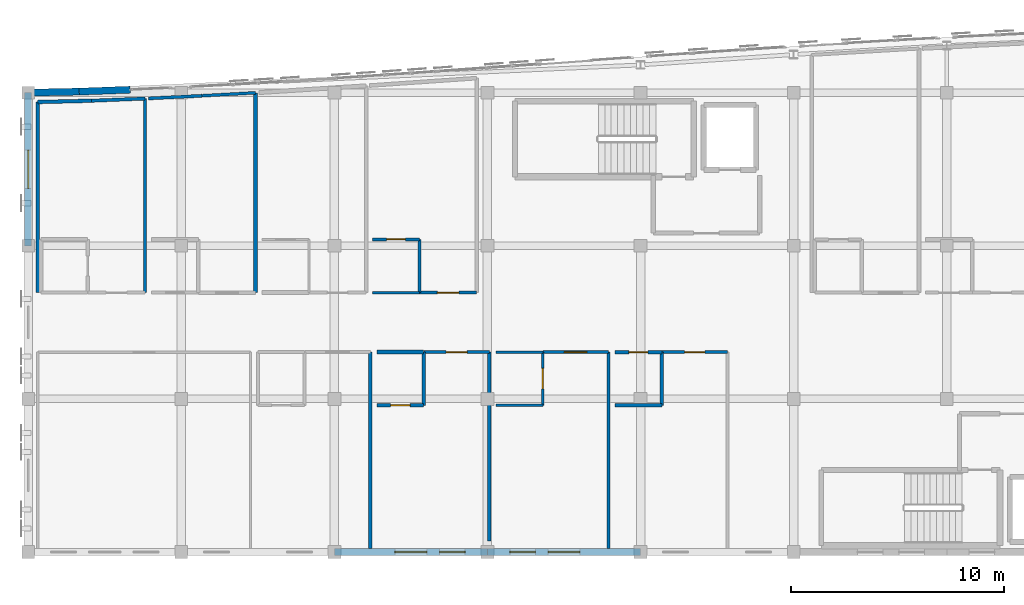
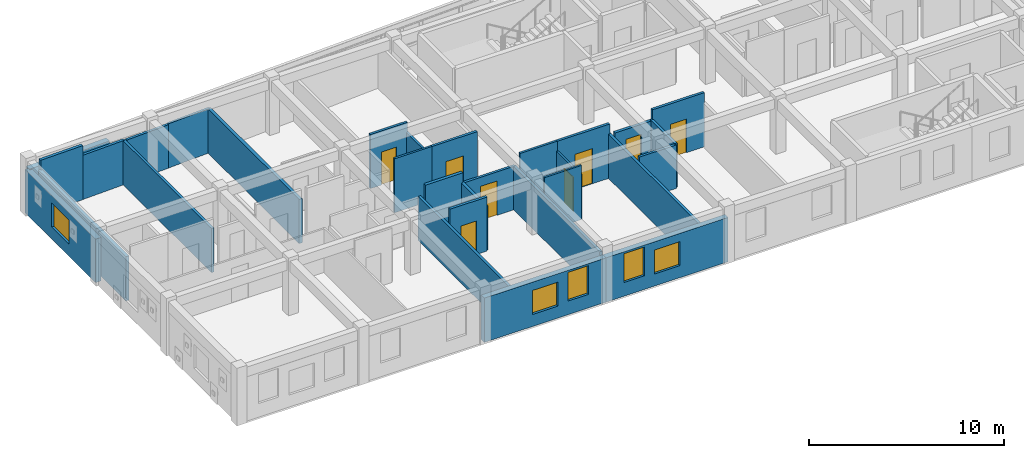
# One storey, part 31 of 41: 31 walls, 8 doors, 5 windows, 13 openings.
"""IFC4 building model written with IfcOpenShell, lengths in metres."""

from ifc_helpers import new_model, si_unit, direction, frame, frame_2d, origin, place, context, subcontext, project, spatial, rectangle, extrude, material, layer, layer_set, type_object, element, fill, save


model = new_model("IFC4")

# Units and contexts
model_context = context("Model", 3, precision=1e-05, world=origin(), true_north=direction((0.0, 1.0)))
body_context = subcontext(model_context, "Body", "Model", "MODEL_VIEW")
ifc_project = project(units=[si_unit("LENGTHUNIT", "METRE"), si_unit("AREAUNIT", "SQUARE_METRE"), si_unit("VOLUMEUNIT", "CUBIC_METRE"), si_unit("PLANEANGLEUNIT", "RADIAN"), si_unit("MASSUNIT", "GRAM", prefix="KILO")], contexts=[model_context])

# Site, building, storey
site_placement = place(None, origin())
site = spatial("IfcSite", under=ifc_project, at=site_placement, CompositionType="ELEMENT")
building_placement = place(site_placement, origin())
building = spatial("IfcBuilding", under=site, at=building_placement, Name="Carrowvane Square Congress Hotel", CompositionType="ELEMENT")
storey_placement = place(building_placement, frame((0.0, 0.0, 37.199951171875)))
storey = spatial("IfcBuildingStorey", under=building, at=storey_placement, Name="L09", CompositionType="ELEMENT", Elevation=37.199951171875)

# Walls
ifc_material_1 = material(Name="Glazed terracotta rainscreen", Category="masonry")
ifc_layer_1 = layer(ifc_material_1, 0.330078125)
ifc_layer_set_1 = layer_set([ifc_layer_1], Name="Glazed terracotta rainscreen")
wall_type_1 = type_object("IfcWallType", Name="WL-EXT-TC330", PredefinedType="STANDARD", material=ifc_layer_set_1)
wall_1_placement = place(storey_placement, frame((33.199951171875, 113.39990234375, 0.0), z_axis=(0.0, 0.0, 1.0), x_axis=(0.999767568547, 0.021559426766, 0.0)))
element("IfcWall", 1, at=wall_1_placement, inside=storey, type_object=wall_type_1, Name="L09 exterior facade wall 560", PredefinedType="STANDARD", context=body_context, shape_type="SweptSolid", body=[
    extrude(rectangle(XDim=2.400634765625, YDim=0.330078125, at=frame_2d((1.2001953125, 0.0))), origin(), (0.0, 0.0, 1.0), 2.76513671875),
])
wall_2_placement = place(storey_placement, frame((35.60009765625, 113.45166015625, 0.0), z_axis=(0.0, 0.0, 1.0), x_axis=(0.99930757318, 0.037207179225, 0.0)))
element("IfcWall", 2, at=wall_2_placement, inside=storey, type_object=wall_type_1, Name="L09 exterior facade wall 561", PredefinedType="STANDARD", context=body_context, shape_type="SweptSolid", body=[
    extrude(rectangle(XDim=2.401611328125, YDim=0.330078125, at=frame_2d((1.20068359375, 0.0))), origin(), (0.0, 0.0, 1.0), 2.76513671875),
])

# Wall, openings, windows
wall_3_placement = place(storey_placement, frame((62.0, 91.800048828125, 0.0), z_axis=(0.0, 0.0, 1.0), x_axis=(-1.0, 0.0, 0.0)))
wall_3 = element("IfcWall", 3, at=wall_3_placement, inside=storey, type_object=wall_type_1, Name="L09 exterior facade wall 576", PredefinedType="STANDARD", context=body_context, shape_type="SweptSolid", body=[
    extrude(rectangle(XDim=7.199951171875, YDim=0.330078125, at=frame_2d((3.60009765625, 0.0))), origin(), (0.0, 0.0, 1.0), 2.76513671875),
])
opening_1_placement = place(wall_3_placement, frame((2.85009765625, 0.0, 0.75)))
opening_1 = element("IfcOpeningElement", 4, at=opening_1_placement, cuts=wall_3, Name="Opening W-15", PredefinedType="OPENING", context=body_context, shape_type="SweptSolid", body=[
    extrude(rectangle(XDim=1.5, YDim=1.5, at=frame_2d((0.75, 0.75))), frame((0.0, 0.175048828125, 0.0), z_axis=(0.0, -1.0, 0.0), x_axis=(1.0, 0.0, 0.0)), (0.0, 0.0, 1.0), 0.35009765625),
])
opening_2_placement = place(wall_3_placement, frame((4.949951171875, 0.0, 0.85009765625)))
opening_2 = element("IfcOpeningElement", 5, at=opening_2_placement, cuts=wall_3, Name="Opening W-01", PredefinedType="OPENING", context=body_context, shape_type="SweptSolid", body=[
    extrude(rectangle(XDim=1.199951171875, YDim=1.800048828125, at=frame_2d((0.60009765625, 0.89990234375))), frame((0.0, 0.175048828125, 0.0), z_axis=(0.0, -1.0, 0.0), x_axis=(1.0, 0.0, 0.0)), (0.0, 0.0, 1.0), 0.35009765625),
])
ifc_material_2 = material(Name="Double-glazed low-E glass", Category="glass")
window_type_1 = type_object("IfcWindowType", Name="WIN-01", PartitioningType="SINGLE_PANEL", PredefinedType="WINDOW", material=ifc_material_2)
window_1_placement = place(opening_2_placement, origin())
window_1 = element("IfcWindow", 6, at=window_1_placement, inside=storey, type_object=window_type_1, Name="L09 guest bedroom window 444", OverallHeight=1.800048828125, OverallWidth=1.199951171875, PartitioningType="SINGLE_PANEL", PredefinedType="WINDOW", context=body_context, shape_type="SweptSolid", body=[
    extrude(rectangle(XDim=1.199951171875, YDim=1.800048828125, at=frame_2d((0.60009765625, 0.89990234375))), frame((0.0, 0.030029296875, 0.0), z_axis=(0.0, -1.0, 0.0), x_axis=(1.0, 0.0, 0.0)), (0.0, 0.0, 1.0), 0.06005859375),
])
fill(opening_2, window_1)
ifc_material_3 = material(Name="Double-glazed low-E glass", Category="glass")
window_type_2 = type_object("IfcWindowType", Name="WIN-15", PartitioningType="SINGLE_PANEL", PredefinedType="WINDOW", material=ifc_material_3)
window_2_placement = place(opening_1_placement, origin())
window_2 = element("IfcWindow", 7, at=window_2_placement, inside=storey, type_object=window_type_2, Name="L09 facade window 442", OverallHeight=1.5, OverallWidth=1.5, PartitioningType="SINGLE_PANEL", PredefinedType="WINDOW", context=body_context, shape_type="SweptSolid", body=[
    extrude(rectangle(XDim=1.5, YDim=1.5, at=frame_2d((0.75, 0.75))), frame((0.0, 0.030029296875, 0.0), z_axis=(0.0, -1.0, 0.0), x_axis=(1.0, 0.0, 0.0)), (0.0, 0.0, 1.0), 0.06005859375),
])
fill(opening_1, window_2)

wall_4_placement = place(storey_placement, frame((54.800048828125, 91.800048828125, 0.0), z_axis=(0.0, 0.0, 1.0), x_axis=(-1.0, 0.0, 0.0)))
wall_4 = element("IfcWall", 8, at=wall_4_placement, inside=storey, type_object=wall_type_1, Name="L09 exterior facade wall 577", PredefinedType="STANDARD", context=body_context, shape_type="SweptSolid", body=[
    extrude(rectangle(XDim=7.199951171875, YDim=0.330078125, at=frame_2d((3.60009765625, 0.0))), origin(), (0.0, 0.0, 1.0), 2.76513671875),
])
opening_3_placement = place(wall_4_placement, frame((2.85009765625, 0.0, 0.75)))
opening_3 = element("IfcOpeningElement", 9, at=opening_3_placement, cuts=wall_4, Name="Opening W-15", PredefinedType="OPENING", context=body_context, shape_type="SweptSolid", body=[
    extrude(rectangle(XDim=1.5, YDim=1.5, at=frame_2d((0.75, 0.75))), frame((0.0, 0.175048828125, 0.0), z_axis=(0.0, -1.0, 0.0), x_axis=(1.0, 0.0, 0.0)), (0.0, 0.0, 1.0), 0.35009765625),
])
opening_4_placement = place(wall_4_placement, frame((1.050048828125, 0.0, 0.85009765625)))
opening_4 = element("IfcOpeningElement", 10, at=opening_4_placement, cuts=wall_4, Name="Opening W-01", PredefinedType="OPENING", context=body_context, shape_type="SweptSolid", body=[
    extrude(rectangle(XDim=1.199951171875, YDim=1.800048828125, at=frame_2d((0.60009765625, 0.89990234375))), frame((0.0, 0.175048828125, 0.0), z_axis=(0.0, -1.0, 0.0), x_axis=(1.0, 0.0, 0.0)), (0.0, 0.0, 1.0), 0.35009765625),
])
window_3_placement = place(opening_4_placement, origin())
window_3 = element("IfcWindow", 11, at=window_3_placement, inside=storey, type_object=window_type_1, Name="L09 guest bedroom window 446", OverallHeight=1.800048828125, OverallWidth=1.199951171875, PartitioningType="SINGLE_PANEL", PredefinedType="WINDOW", context=body_context, shape_type="SweptSolid", body=[
    extrude(rectangle(XDim=1.199951171875, YDim=1.800048828125, at=frame_2d((0.60009765625, 0.89990234375))), frame((0.0, 0.030029296875, 0.0), z_axis=(0.0, -1.0, 0.0), x_axis=(1.0, 0.0, 0.0)), (0.0, 0.0, 1.0), 0.06005859375),
])
fill(opening_4, window_3)
window_4_placement = place(opening_3_placement, origin())
window_4 = element("IfcWindow", 12, at=window_4_placement, inside=storey, type_object=window_type_2, Name="L09 facade window 445", OverallHeight=1.5, OverallWidth=1.5, PartitioningType="SINGLE_PANEL", PredefinedType="WINDOW", context=body_context, shape_type="SweptSolid", body=[
    extrude(rectangle(XDim=1.5, YDim=1.5, at=frame_2d((0.75, 0.75))), frame((0.0, 0.030029296875, 0.0), z_axis=(0.0, -1.0, 0.0), x_axis=(1.0, 0.0, 0.0)), (0.0, 0.0, 1.0), 0.06005859375),
])
fill(opening_3, window_4)

# Wall, opening, window
wall_5_placement = place(storey_placement, frame((33.199951171875, 106.199951171875, 0.0), z_axis=(0.0, 0.0, 1.0), x_axis=(0.0, 1.0, 0.0)))
wall_5 = element("IfcWall", 13, at=wall_5_placement, inside=storey, type_object=wall_type_1, Name="L09 exterior facade wall 582", PredefinedType="STANDARD", context=body_context, shape_type="SweptSolid", body=[
    extrude(rectangle(XDim=7.199951171875, YDim=0.330078125, at=frame_2d((3.60009765625, 0.0))), origin(), (0.0, 0.0, 1.0), 2.715087890625),
])
opening_5_placement = place(wall_5_placement, frame((2.699951171875, 0.0, 0.75)))
opening_5 = element("IfcOpeningElement", 14, at=opening_5_placement, cuts=wall_5, Name="Opening W-16", PredefinedType="OPENING", context=body_context, shape_type="SweptSolid", body=[
    extrude(rectangle(XDim=1.800048828125, YDim=1.5, at=frame_2d((0.89990234375, 0.75))), frame((0.0, 0.175048828125, 0.0), z_axis=(0.0, -1.0, 0.0), x_axis=(1.0, 0.0, 0.0)), (0.0, 0.0, 1.0), 0.35009765625),
])
ifc_material_4 = material(Name="Double-glazed low-E glass", Category="glass")
window_type_3 = type_object("IfcWindowType", Name="WIN-16", PartitioningType="SINGLE_PANEL", PredefinedType="WINDOW", material=ifc_material_4)
window_5_placement = place(opening_5_placement, origin())
window_5 = element("IfcWindow", 15, at=window_5_placement, inside=storey, type_object=window_type_3, Name="L09 facade window 456", OverallHeight=1.5, OverallWidth=1.800048828125, PartitioningType="SINGLE_PANEL", PredefinedType="WINDOW", context=body_context, shape_type="SweptSolid", body=[
    extrude(rectangle(XDim=1.800048828125, YDim=1.5, at=frame_2d((0.89990234375, 0.75))), frame((0.0, 0.030029296875, 0.0), z_axis=(0.0, -1.0, 0.0), x_axis=(1.0, 0.0, 0.0)), (0.0, 0.0, 1.0), 0.06005859375),
])
fill(opening_5, window_5)

# Wall
ifc_material_5 = material(Name="Acoustic gypsum board", Category="gypsum")
ifc_layer_2 = layer(ifc_material_5, 0.155029296875)
ifc_layer_set_2 = layer_set([ifc_layer_2], Name="Acoustic gypsum board")
wall_type_2 = type_object("IfcWallType", Name="WL-FIR-155", PredefinedType="PARTITIONING", material=ifc_layer_set_2)
wall_6_placement = place(storey_placement, frame((49.2900390625, 101.199951171875, 0.0), z_axis=(0.0, 0.0, 1.0), x_axis=(0.0, -1.0, 0.0)))
element("IfcWall", 16, at=wall_6_placement, inside=storey, type_object=wall_type_2, Name="L09 Hotel Suite 0901 partition", PredefinedType="PARTITIONING", context=body_context, shape_type="SweptSolid", body=[
    extrude(rectangle(XDim=9.239990234375, YDim=0.155029296875, at=frame_2d((4.6201171875, 0.0))), origin(), (0.0, 0.0, 1.0), 2.76513671875),
])

# Wall, opening, door
wall_7_placement = place(storey_placement, frame((51.800048828125, 98.699951171875, 0.0), z_axis=(0.0, 0.0, 1.0), x_axis=(-1.0, 0.0, 0.0)))
wall_7 = element("IfcWall", 17, at=wall_7_placement, inside=storey, type_object=wall_type_2, Name="L09 En-suite Bathroom 0902 partition", PredefinedType="PARTITIONING", context=body_context, shape_type="SweptSolid", body=[
    extrude(rectangle(XDim=2.199951171875, YDim=0.155029296875, at=frame_2d((1.10009765625, 0.0))), origin(), (0.0, 0.0, 1.0), 3.380126953125),
])
opening_6_placement = place(wall_7_placement, frame((0.639892578125, 0.0, 0.0)))
opening_6 = element("IfcOpeningElement", 18, at=opening_6_placement, cuts=wall_7, Name="Opening ID-03", PredefinedType="OPENING", context=body_context, shape_type="SweptSolid", body=[
    extrude(rectangle(XDim=0.919921875, YDim=2.10009765625, at=frame_2d((0.4599609375, 1.050048828125))), frame((0.0, 0.08740234375, 0.0), z_axis=(0.0, -1.0, 0.0), x_axis=(1.0, 0.0, 0.0)), (0.0, 0.0, 1.0), 0.175048828125),
])
ifc_material_6 = material(Name="European oak timber", Category="wood")
door_type_1 = type_object("IfcDoorType", Name="DR-INT-0920x2100", OperationType="NOTDEFINED", PredefinedType="DOOR", material=ifc_material_6)
door_1_placement = place(opening_6_placement, origin())
door_1 = element("IfcDoor", 19, at=door_1_placement, inside=storey, type_object=door_type_1, Name="L09 En-suite Bathroom 0902 door", OperationType="SINGLE_SWING_LEFT", OverallHeight=2.10009765625, OverallWidth=0.919921875, PredefinedType="DOOR", context=body_context, shape_type="SweptSolid", body=[
    extrude(rectangle(XDim=0.919921875, YDim=2.10009765625, at=frame_2d((0.4599609375, 1.050048828125))), frame((0.0, 0.02490234375, 0.0), z_axis=(0.0, -1.0, 0.0), x_axis=(1.0, 0.0, 0.0)), (0.0, 0.0, 1.0), 0.050048828125),
])
fill(opening_6, door_1)

# Walls
wall_8_placement = place(storey_placement, frame((54.889892578125, 101.199951171875, 0.0), z_axis=(0.0, 0.0, 1.0), x_axis=(0.0, -1.0, 0.0)))
element("IfcWall", 20, at=wall_8_placement, inside=storey, type_object=wall_type_2, Name="L09 Hotel Suite 0902 partition", PredefinedType="PARTITIONING", context=body_context, shape_type="SweptSolid", body=[
    extrude(rectangle(XDim=8.8798828125, YDim=0.155029296875, at=frame_2d((4.43994140625, 0.0))), origin(), (0.0, 0.0, 1.0), 2.715087890625),
])
wall_9_placement = place(storey_placement, frame((60.489990234375, 101.199951171875, 0.0), z_axis=(0.0, 0.0, 1.0), x_axis=(0.0, -1.0, 0.0)))
element("IfcWall", 21, at=wall_9_placement, inside=storey, type_object=wall_type_2, Name="L09 Hotel Suite 0903 partition", PredefinedType="PARTITIONING", context=body_context, shape_type="SweptSolid", body=[
    extrude(rectangle(XDim=9.239990234375, YDim=0.155029296875, at=frame_2d((4.6201171875, 0.0))), origin(), (0.0, 0.0, 1.0), 2.76513671875),
])
wall_10_placement = place(storey_placement, frame((63.0, 101.199951171875, 0.0), z_axis=(0.0, 0.0, 1.0), x_axis=(0.0, -1.0, 0.0)))
element("IfcWall", 22, at=wall_10_placement, inside=storey, type_object=wall_type_2, Name="L09 En-suite Bathroom 0904 partition", PredefinedType="PARTITIONING", context=body_context, shape_type="SweptSolid", body=[
    extrude(rectangle(XDim=2.5, YDim=0.155029296875, at=frame_2d((1.25, 0.0))), origin(), (0.0, 0.0, 1.0), 2.76513671875),
])
wall_11_placement = place(storey_placement, frame((36.169921875, 113.02294921875, 0.0), z_axis=(0.0, 0.0, 1.0), x_axis=(0.999212053971, 0.039689686314, 0.0)))
element("IfcWall", 23, at=wall_11_placement, inside=storey, type_object=wall_type_2, Name="L09 Parkview Guest Bedroom 0907 partition", PredefinedType="PARTITIONING", context=body_context, shape_type="SweptSolid", body=[
    extrude(rectangle(XDim=2.52197265625, YDim=0.155029296875, at=frame_2d((1.260986328125, 0.0))), origin(), (0.0, 0.0, 1.0), 2.76513671875),
])
ifc_material_7 = material(Name="Acoustic gypsum board", Category="gypsum")
ifc_layer_3 = layer(ifc_material_7, 0.169921875)
ifc_layer_set_3 = layer_set([ifc_layer_3], Name="Acoustic gypsum board")
wall_type_3 = type_object("IfcWallType", Name="WL-FIR-170", PredefinedType="PARTITIONING", material=ifc_layer_set_3)
wall_12_placement = place(storey_placement, frame((51.800048828125, 101.199951171875, 0.0), z_axis=(0.0, 0.0, 1.0), x_axis=(0.0, -1.0, 0.0)))
element("IfcWall", 24, at=wall_12_placement, inside=storey, type_object=wall_type_3, Name="L09 En-suite Bathroom 0902 partition", PredefinedType="PARTITIONING", context=body_context, shape_type="SweptSolid", body=[
    extrude(rectangle(XDim=2.5, YDim=0.169921875, at=frame_2d((1.25, 0.0))), origin(), (0.0, 0.0, 1.0), 2.76513671875),
])

# Wall, opening, door
wall_13_placement = place(storey_placement, frame((60.800048828125, 101.199951171875, 0.0), z_axis=(0.0, 0.0, 1.0), x_axis=(1.0, 0.0, 0.0)))
wall_13 = element("IfcWall", 25, at=wall_13_placement, inside=storey, type_object=wall_type_3, Name="L09 En-suite Bathroom 0904 partition", PredefinedType="PARTITIONING", context=body_context, shape_type="SweptSolid", body=[
    extrude(rectangle(XDim=2.199951171875, YDim=0.169921875, at=frame_2d((1.10009765625, 0.0))), origin(), (0.0, 0.0, 1.0), 2.715087890625),
])
opening_7_placement = place(wall_13_placement, frame((0.655029296875, 0.0, 0.0)))
opening_7 = element("IfcOpeningElement", 26, at=opening_7_placement, cuts=wall_13, Name="Opening ID-16", PredefinedType="OPENING", context=body_context, shape_type="SweptSolid", body=[
    extrude(rectangle(XDim=0.889892578125, YDim=2.090087890625, at=frame_2d((0.44482421875, 1.044921875))), frame((0.0, 0.094970703125, 0.0), z_axis=(0.0, -1.0, 0.0), x_axis=(1.0, 0.0, 0.0)), (0.0, 0.0, 1.0), 0.18994140625),
])
ifc_material_8 = material(Name="European oak timber", Category="wood")
door_type_2 = type_object("IfcDoorType", Name="DR-INT-0890x2090", OperationType="NOTDEFINED", PredefinedType="DOOR", material=ifc_material_8)
door_2_placement = place(opening_7_placement, origin())
door_2 = element("IfcDoor", 27, at=door_2_placement, inside=storey, type_object=door_type_2, Name="L09 En-suite Bathroom 0904 door", OperationType="SINGLE_SWING_LEFT", OverallHeight=2.090087890625, OverallWidth=0.889892578125, PredefinedType="DOOR", context=body_context, shape_type="SweptSolid", body=[
    extrude(rectangle(XDim=0.889892578125, YDim=2.090087890625, at=frame_2d((0.44482421875, 1.044921875))), frame((0.0, 0.02490234375, 0.0), z_axis=(0.0, -1.0, 0.0), x_axis=(1.0, 0.0, 0.0)), (0.0, 0.0, 1.0), 0.050048828125),
])
fill(opening_7, door_2)

# Walls
wall_14_placement = place(storey_placement, frame((33.64990234375, 112.959716796875, 0.0), z_axis=(0.0, 0.0, 1.0), x_axis=(0.999685343429, 0.025084141053, 0.0)))
element("IfcWall", 28, at=wall_14_placement, inside=storey, type_object=wall_type_3, Name="L09 Parkview Guest Bedroom 0907 partition", PredefinedType="PARTITIONING", context=body_context, shape_type="SweptSolid", body=[
    extrude(rectangle(XDim=2.520751953125, YDim=0.169921875, at=frame_2d((1.26025390625, 0.0))), origin(), (0.0, 0.0, 1.0), 3.380126953125),
])
ifc_material_9 = material(Name="Acoustic gypsum board", Category="gypsum")
ifc_layer_4 = layer(ifc_material_9, 0.18505859375)
ifc_layer_set_4 = layer_set([ifc_layer_4], Name="Acoustic gypsum board")
wall_type_4 = type_object("IfcWallType", Name="WL-FIR-185", PredefinedType="PARTITIONING", material=ifc_layer_set_4)
wall_15_placement = place(storey_placement, frame((49.60009765625, 101.199951171875, 0.0), z_axis=(0.0, 0.0, 1.0), x_axis=(1.0, 0.0, 0.0)))
element("IfcWall", 29, at=wall_15_placement, inside=storey, type_object=wall_type_4, Name="L09 En-suite Bathroom 0902 partition", PredefinedType="PARTITIONING", context=body_context, shape_type="SweptSolid", body=[
    extrude(rectangle(XDim=2.199951171875, YDim=0.18505859375, at=frame_2d((1.10009765625, 0.0))), origin(), (0.0, 0.0, 1.0), 3.380126953125),
])
wall_16_placement = place(storey_placement, frame((33.64990234375, 104.0, 0.0), z_axis=(0.0, 0.0, 1.0), x_axis=(0.0, 1.0, 0.0)))
element("IfcWall", 30, at=wall_16_placement, inside=storey, type_object=wall_type_4, Name="L09 Parkview Guest Bedroom 0907 partition", PredefinedType="PARTITIONING", context=body_context, shape_type="SweptSolid", body=[
    extrude(rectangle(XDim=8.959716796875, YDim=0.18505859375, at=frame_2d((4.47998046875, 0.0))), origin(), (0.0, 0.0, 1.0), 2.76513671875),
])
wall_17_placement = place(storey_placement, frame((43.889892578125, 113.395751953125, 0.0), z_axis=(0.0, 0.0, 1.0), x_axis=(0.0, -1.0, 0.0)))
element("IfcWall", 31, at=wall_17_placement, inside=storey, type_object=wall_type_4, Name="L09 Parkview Guest Bedroom 0908 partition", PredefinedType="PARTITIONING", context=body_context, shape_type="SweptSolid", body=[
    extrude(rectangle(XDim=9.395751953125, YDim=0.18505859375, at=frame_2d((4.69775390625, 0.0))), origin(), (0.0, 0.0, 1.0), 2.76513671875),
])
ifc_material_10 = material(Name="Acoustic gypsum board", Category="gypsum")
ifc_layer_5 = layer(ifc_material_10, 0.10791015625)
ifc_layer_set_5 = layer_set([ifc_layer_5], Name="Acoustic gypsum board")
wall_type_5 = type_object("IfcWallType", Name="WL-PRT-108", PredefinedType="PARTITIONING", material=ifc_layer_set_5)
wall_18_placement = place(storey_placement, frame((57.39990234375, 98.699951171875, 0.0), z_axis=(0.0, 0.0, 1.0), x_axis=(-1.0, 0.0, 0.0)))
element("IfcWall", 32, at=wall_18_placement, inside=storey, type_object=wall_type_5, Name="L09 En-suite Bathroom 0903 partition", PredefinedType="PARTITIONING", context=body_context, shape_type="SweptSolid", body=[
    extrude(rectangle(XDim=2.199951171875, YDim=0.10791015625, at=frame_2d((1.10009765625, 0.0))), origin(), (0.0, 0.0, 1.0), 3.380126953125),
])

# Wall, opening, door
ifc_material_11 = material(Name="Acoustic gypsum board", Category="gypsum")
ifc_layer_6 = layer(ifc_material_11, 0.117919921875)
ifc_layer_set_6 = layer_set([ifc_layer_6], Name="Acoustic gypsum board")
wall_type_6 = type_object("IfcWallType", Name="WL-PRT-118", PredefinedType="PARTITIONING", material=ifc_layer_set_6)
wall_19_placement = place(storey_placement, frame((57.39990234375, 101.199951171875, 0.0), z_axis=(0.0, 0.0, 1.0), x_axis=(0.0, -1.0, 0.0)))
wall_19 = element("IfcWall", 33, at=wall_19_placement, inside=storey, type_object=wall_type_6, Name="L09 En-suite Bathroom 0903 partition", PredefinedType="PARTITIONING", context=body_context, shape_type="SweptSolid", body=[
    extrude(rectangle(XDim=2.5, YDim=0.117919921875, at=frame_2d((1.25, 0.0))), origin(), (0.0, 0.0, 1.0), 2.76513671875),
])
opening_8_placement = place(wall_19_placement, frame((0.77001953125, 0.0, 0.0)))
opening_8 = element("IfcOpeningElement", 34, at=opening_8_placement, cuts=wall_19, Name="Opening ID-05", PredefinedType="OPENING", context=body_context, shape_type="SweptSolid", body=[
    extrude(rectangle(XDim=0.9599609375, YDim=2.139892578125, at=frame_2d((0.47998046875, 1.06982421875))), frame((0.0, 0.06884765625, 0.0), z_axis=(0.0, -1.0, 0.0), x_axis=(1.0, 0.0, 0.0)), (0.0, 0.0, 1.0), 0.137939453125),
])
ifc_material_12 = material(Name="European oak timber", Category="wood")
door_type_3 = type_object("IfcDoorType", Name="DR-INT-0960x2140", OperationType="NOTDEFINED", PredefinedType="DOOR", material=ifc_material_12)
door_3_placement = place(opening_8_placement, origin())
door_3 = element("IfcDoor", 35, at=door_3_placement, inside=storey, type_object=door_type_3, Name="L09 En-suite Bathroom 0903 door", OperationType="SINGLE_SWING_LEFT", OverallHeight=2.139892578125, OverallWidth=0.9599609375, PredefinedType="DOOR", context=body_context, shape_type="SweptSolid", body=[
    extrude(rectangle(XDim=0.9599609375, YDim=2.139892578125, at=frame_2d((0.47998046875, 1.06982421875))), frame((0.0, 0.02490234375, 0.0), z_axis=(0.0, -1.0, 0.0), x_axis=(1.0, 0.0, 0.0)), (0.0, 0.0, 1.0), 0.050048828125),
])
fill(opening_8, door_3)

# Walls
wall_20_placement = place(storey_placement, frame((51.60009765625, 104.0, 0.0), z_axis=(0.0, 0.0, 1.0), x_axis=(-1.0, 0.0, 0.0)))
element("IfcWall", 36, at=wall_20_placement, inside=storey, type_object=wall_type_6, Name="L09 En-suite Bathroom 0910 partition", PredefinedType="PARTITIONING", context=body_context, shape_type="SweptSolid", body=[
    extrude(rectangle(XDim=2.2001953125, YDim=0.117919921875, at=frame_2d((1.10009765625, 0.0))), origin(), (0.0, 0.0, 1.0), 3.380126953125),
])
ifc_material_13 = material(Name="Acoustic gypsum board", Category="gypsum")
ifc_layer_7 = layer(ifc_material_13, 0.1279296875)
ifc_layer_set_7 = layer_set([ifc_layer_7], Name="Acoustic gypsum board")
wall_type_7 = type_object("IfcWallType", Name="WL-PRT-128", PredefinedType="PARTITIONING", material=ifc_layer_set_7)
wall_21_placement = place(storey_placement, frame((55.199951171875, 101.199951171875, 0.0), z_axis=(0.0, 0.0, 1.0), x_axis=(1.0, 0.0, 0.0)))
element("IfcWall", 37, at=wall_21_placement, inside=storey, type_object=wall_type_7, Name="L09 En-suite Bathroom 0903 partition", PredefinedType="PARTITIONING", context=body_context, shape_type="SweptSolid", body=[
    extrude(rectangle(XDim=2.199951171875, YDim=0.1279296875, at=frame_2d((1.10009765625, 0.0))), origin(), (0.0, 0.0, 1.0), 3.380126953125),
])
wall_22_placement = place(storey_placement, frame((51.60009765625, 106.5, 0.0), z_axis=(0.0, 0.0, 1.0), x_axis=(0.0, -1.0, 0.0)))
element("IfcWall", 38, at=wall_22_placement, inside=storey, type_object=wall_type_7, Name="L09 En-suite Bathroom 0910 partition", PredefinedType="PARTITIONING", context=body_context, shape_type="SweptSolid", body=[
    extrude(rectangle(XDim=2.5, YDim=0.1279296875, at=frame_2d((1.25, 0.0))), origin(), (0.0, 0.0, 1.0), 2.76513671875),
])
ifc_material_14 = material(Name="Acoustic gypsum board", Category="gypsum")
ifc_layer_8 = layer(ifc_material_14, 0.137939453125)
ifc_layer_set_8 = layer_set([ifc_layer_8], Name="Acoustic gypsum board")
wall_type_8 = type_object("IfcWallType", Name="WL-PRT-138", PredefinedType="PARTITIONING", material=ifc_layer_set_8)
wall_23_placement = place(storey_placement, frame((41.3701171875, 113.254638671875, 0.0), z_axis=(0.0, 0.0, 1.0), x_axis=(0.998435548712, 0.055914712446, 0.0)))
element("IfcWall", 39, at=wall_23_placement, inside=storey, type_object=wall_type_8, Name="L09 Parkview Guest Bedroom 0908 partition", PredefinedType="PARTITIONING", context=body_context, shape_type="SweptSolid", body=[
    extrude(rectangle(XDim=2.523681640625, YDim=0.137939453125, at=frame_2d((1.26171875, 0.0))), origin(), (0.0, 0.0, 1.0), 2.76513671875),
])

# Wall, opening, door
wall_24_placement = place(storey_placement, frame((49.39990234375, 106.5, 0.0), z_axis=(0.0, 0.0, 1.0), x_axis=(1.0, 0.0, 0.0)))
wall_24 = element("IfcWall", 40, at=wall_24_placement, inside=storey, type_object=wall_type_8, Name="L09 En-suite Bathroom 0910 partition", PredefinedType="PARTITIONING", context=body_context, shape_type="SweptSolid", body=[
    extrude(rectangle(XDim=2.2001953125, YDim=0.137939453125, at=frame_2d((1.10009765625, 0.0))), origin(), (0.0, 0.0, 1.0), 3.380126953125),
])
opening_9_placement = place(wall_24_placement, frame((0.659912109375, 0.0, 0.0)))
opening_9 = element("IfcOpeningElement", 41, at=opening_9_placement, cuts=wall_24, Name="Opening ID-01", PredefinedType="OPENING", context=body_context, shape_type="SweptSolid", body=[
    extrude(rectangle(XDim=0.8798828125, YDim=2.06005859375, at=frame_2d((0.43994140625, 1.030029296875))), frame((0.0, 0.078857421875, 0.0), z_axis=(0.0, -1.0, 0.0), x_axis=(1.0, 0.0, 0.0)), (0.0, 0.0, 1.0), 0.157958984375),
])
ifc_material_15 = material(Name="European oak timber", Category="wood")
door_type_4 = type_object("IfcDoorType", Name="DR-INT-0880x2060", OperationType="NOTDEFINED", PredefinedType="DOOR", material=ifc_material_15)
door_4_placement = place(opening_9_placement, origin())
door_4 = element("IfcDoor", 42, at=door_4_placement, inside=storey, type_object=door_type_4, Name="L09 En-suite Bathroom 0910 door", OperationType="SINGLE_SWING_LEFT", OverallHeight=2.06005859375, OverallWidth=0.8798828125, PredefinedType="DOOR", context=body_context, shape_type="SweptSolid", body=[
    extrude(rectangle(XDim=0.8798828125, YDim=2.06005859375, at=frame_2d((0.43994140625, 1.030029296875))), frame((0.0, 0.02490234375, 0.0), z_axis=(0.0, -1.0, 0.0), x_axis=(1.0, 0.0, 0.0)), (0.0, 0.0, 1.0), 0.050048828125),
])
fill(opening_9, door_4)

ifc_material_16 = material(Name="Acoustic gypsum board", Category="gypsum")
ifc_layer_9 = layer(ifc_material_16, 0.14794921875)
ifc_layer_set_9 = layer_set([ifc_layer_9], Name="Acoustic gypsum board")
wall_type_9 = type_object("IfcWallType", Name="WL-PRT-148", PredefinedType="PARTITIONING", material=ifc_layer_set_9)
wall_25_placement = place(storey_placement, frame((51.81005859375, 101.199951171875, 0.0), z_axis=(0.0, 0.0, 1.0), x_axis=(1.0, 0.0, 0.0)))
wall_25 = element("IfcWall", 43, at=wall_25_placement, inside=storey, type_object=wall_type_9, Name="L09 Hotel Suite 0902 partition", PredefinedType="PARTITIONING", context=body_context, shape_type="SweptSolid", body=[
    extrude(rectangle(XDim=3.079833984375, YDim=0.14794921875, at=frame_2d((1.5400390625, 0.0))), origin(), (0.0, 0.0, 1.0), 2.715087890625),
])
opening_10_placement = place(wall_25_placement, frame((1.050048828125, 0.0, 0.0)))
opening_10 = element("IfcOpeningElement", 44, at=opening_10_placement, cuts=wall_25, Name="Opening FD-07", PredefinedType="OPENING", context=body_context, shape_type="SweptSolid", body=[
    extrude(rectangle(XDim=0.97998046875, YDim=2.14990234375, at=frame_2d((0.489990234375, 1.074951171875))), frame((0.0, 0.083984375, 0.0), z_axis=(0.0, -1.0, 0.0), x_axis=(1.0, 0.0, 0.0)), (0.0, 0.0, 1.0), 0.16796875),
])
ifc_material_17 = material(Name="European oak timber", Category="wood")
door_type_5 = type_object("IfcDoorType", Name="DR-FD30-0980x2150", OperationType="NOTDEFINED", PredefinedType="DOOR", material=ifc_material_17)
door_5_placement = place(opening_10_placement, origin())
door_5 = element("IfcDoor", 45, at=door_5_placement, inside=storey, type_object=door_type_5, Name="L09 Hotel Suite 0902 entrance door", OperationType="SINGLE_SWING_RIGHT", OverallHeight=2.14990234375, OverallWidth=0.97998046875, PredefinedType="DOOR", context=body_context, shape_type="SweptSolid", body=[
    extrude(rectangle(XDim=0.97998046875, YDim=2.14990234375, at=frame_2d((0.489990234375, 1.074951171875))), frame((0.0, 0.02490234375, 0.0), z_axis=(0.0, -1.0, 0.0), x_axis=(1.0, 0.0, 0.0)), (0.0, 0.0, 1.0), 0.050048828125),
])
fill(opening_10, door_5)

wall_26_placement = place(storey_placement, frame((57.409912109375, 101.199951171875, 0.0), z_axis=(0.0, 0.0, 1.0), x_axis=(1.0, 0.0, 0.0)))
wall_26 = element("IfcWall", 46, at=wall_26_placement, inside=storey, type_object=wall_type_9, Name="L09 Hotel Suite 0903 partition", PredefinedType="PARTITIONING", context=body_context, shape_type="SweptSolid", body=[
    extrude(rectangle(XDim=3.080078125, YDim=0.14794921875, at=frame_2d((1.5400390625, 0.0))), origin(), (0.0, 0.0, 1.0), 3.380126953125),
])
opening_11_placement = place(wall_26_placement, frame((1.010009765625, 0.0, 0.0)))
opening_11 = element("IfcOpeningElement", 47, at=opening_11_placement, cuts=wall_26, Name="Opening FD-09", PredefinedType="OPENING", context=body_context, shape_type="SweptSolid", body=[
    extrude(rectangle(XDim=1.06005859375, YDim=2.199951171875, at=frame_2d((0.530029296875, 1.10009765625))), frame((0.0, 0.083984375, 0.0), z_axis=(0.0, -1.0, 0.0), x_axis=(1.0, 0.0, 0.0)), (0.0, 0.0, 1.0), 0.16796875),
])
ifc_material_18 = material(Name="European oak timber", Category="wood")
door_type_6 = type_object("IfcDoorType", Name="DR-FD30-1060x2200", OperationType="NOTDEFINED", PredefinedType="DOOR", material=ifc_material_18)
door_6_placement = place(opening_11_placement, origin())
door_6 = element("IfcDoor", 48, at=door_6_placement, inside=storey, type_object=door_type_6, Name="L09 Hotel Suite 0903 entrance door", OperationType="SINGLE_SWING_RIGHT", OverallHeight=2.199951171875, OverallWidth=1.06005859375, PredefinedType="DOOR", context=body_context, shape_type="SweptSolid", body=[
    extrude(rectangle(XDim=1.06005859375, YDim=2.199951171875, at=frame_2d((0.530029296875, 1.10009765625))), frame((0.0, 0.02490234375, 0.0), z_axis=(0.0, -1.0, 0.0), x_axis=(1.0, 0.0, 0.0)), (0.0, 0.0, 1.0), 0.050048828125),
])
fill(opening_11, door_6)

# Wall
wall_27_placement = place(storey_placement, frame((63.0, 98.699951171875, 0.0), z_axis=(0.0, 0.0, 1.0), x_axis=(-1.0, 0.0, 0.0)))
element("IfcWall", 49, at=wall_27_placement, inside=storey, type_object=wall_type_9, Name="L09 En-suite Bathroom 0904 partition", PredefinedType="PARTITIONING", context=body_context, shape_type="SweptSolid", body=[
    extrude(rectangle(XDim=2.199951171875, YDim=0.14794921875, at=frame_2d((1.10009765625, 0.0))), origin(), (0.0, 0.0, 1.0), 2.715087890625),
])

# Wall, opening, door
wall_28_placement = place(storey_placement, frame((63.010009765625, 101.199951171875, 0.0), z_axis=(0.0, 0.0, 1.0), x_axis=(1.0, 0.0, 0.0)))
wall_28 = element("IfcWall", 50, at=wall_28_placement, inside=storey, type_object=wall_type_9, Name="L09 Hotel Suite 0904 partition", PredefinedType="PARTITIONING", context=body_context, shape_type="SweptSolid", body=[
    extrude(rectangle(XDim=3.080078125, YDim=0.14794921875, at=frame_2d((1.5400390625, 0.0))), origin(), (0.0, 0.0, 1.0), 3.380126953125),
])
opening_12_placement = place(wall_28_placement, frame((1.06494140625, 0.0, 0.0)))
opening_12 = element("IfcOpeningElement", 51, at=opening_12_placement, cuts=wall_28, Name="Opening FD-06", PredefinedType="OPENING", context=body_context, shape_type="SweptSolid", body=[
    extrude(rectangle(XDim=0.949951171875, YDim=2.10009765625, at=frame_2d((0.47509765625, 1.050048828125))), frame((0.0, 0.083984375, 0.0), z_axis=(0.0, -1.0, 0.0), x_axis=(1.0, 0.0, 0.0)), (0.0, 0.0, 1.0), 0.16796875),
])
ifc_material_19 = material(Name="European oak timber", Category="wood")
door_type_7 = type_object("IfcDoorType", Name="DR-FD30-0950x2100", OperationType="NOTDEFINED", PredefinedType="DOOR", material=ifc_material_19)
door_7_placement = place(opening_12_placement, origin())
door_7 = element("IfcDoor", 52, at=door_7_placement, inside=storey, type_object=door_type_7, Name="L09 Hotel Suite 0904 entrance door", OperationType="SINGLE_SWING_RIGHT", OverallHeight=2.10009765625, OverallWidth=0.949951171875, PredefinedType="DOOR", context=body_context, shape_type="SweptSolid", body=[
    extrude(rectangle(XDim=0.949951171875, YDim=2.10009765625, at=frame_2d((0.47509765625, 1.050048828125))), frame((0.0, 0.02490234375, 0.0), z_axis=(0.0, -1.0, 0.0), x_axis=(1.0, 0.0, 0.0)), (0.0, 0.0, 1.0), 0.050048828125),
])
fill(opening_12, door_7)

# Walls
wall_29_placement = place(storey_placement, frame((38.68994140625, 113.123046875, 0.0), z_axis=(0.0, 0.0, 1.0), x_axis=(0.0, -1.0, 0.0)))
element("IfcWall", 53, at=wall_29_placement, inside=storey, type_object=wall_type_9, Name="L09 Parkview Guest Bedroom 0907 partition", PredefinedType="PARTITIONING", context=body_context, shape_type="SweptSolid", body=[
    extrude(rectangle(XDim=9.123046875, YDim=0.14794921875, at=frame_2d((4.5615234375, 0.0))), origin(), (0.0, 0.0, 1.0), 2.76513671875),
])
wall_30_placement = place(storey_placement, frame((38.85009765625, 113.130615234375, 0.0), z_axis=(0.0, 0.0, 1.0), x_axis=(0.99879112429, 0.049155773216, 0.0)))
element("IfcWall", 54, at=wall_30_placement, inside=storey, type_object=wall_type_9, Name="L09 Parkview Guest Bedroom 0908 partition", PredefinedType="PARTITIONING", context=body_context, shape_type="SweptSolid", body=[
    extrude(rectangle(XDim=2.52294921875, YDim=0.14794921875, at=frame_2d((1.261474609375, 0.0))), origin(), (0.0, 0.0, 1.0), 2.715087890625),
])

# Wall, opening, door
wall_31_placement = place(storey_placement, frame((54.2900390625, 104.0, 0.0), z_axis=(0.0, 0.0, 1.0), x_axis=(-1.0, 0.0, 0.0)))
wall_31 = element("IfcWall", 55, at=wall_31_placement, inside=storey, type_object=wall_type_9, Name="L09 Parkview Guest Bedroom 0910 partition", PredefinedType="PARTITIONING", context=body_context, shape_type="SweptSolid", body=[
    extrude(rectangle(XDim=2.679931640625, YDim=0.14794921875, at=frame_2d((1.33984375, 0.0))), origin(), (0.0, 0.0, 1.0), 3.380126953125),
])
opening_13_placement = place(wall_31_placement, frame((0.830078125, 0.0, 0.0)))
opening_13 = element("IfcOpeningElement", 56, at=opening_13_placement, cuts=wall_31, Name="Opening FD-08", PredefinedType="OPENING", context=body_context, shape_type="SweptSolid", body=[
    extrude(rectangle(XDim=1.02001953125, YDim=2.14990234375, at=frame_2d((0.510009765625, 1.074951171875))), frame((0.0, 0.083984375, 0.0), z_axis=(0.0, -1.0, 0.0), x_axis=(1.0, 0.0, 0.0)), (0.0, 0.0, 1.0), 0.16796875),
])
ifc_material_20 = material(Name="European oak timber", Category="wood")
door_type_8 = type_object("IfcDoorType", Name="DR-FD30-1020x2150", OperationType="NOTDEFINED", PredefinedType="DOOR", material=ifc_material_20)
door_8_placement = place(opening_13_placement, origin())
door_8 = element("IfcDoor", 57, at=door_8_placement, inside=storey, type_object=door_type_8, Name="L09 Parkview Guest Bedroom 0910 entrance door", OperationType="SINGLE_SWING_RIGHT", OverallHeight=2.14990234375, OverallWidth=1.02001953125, PredefinedType="DOOR", context=body_context, shape_type="SweptSolid", body=[
    extrude(rectangle(XDim=1.02001953125, YDim=2.14990234375, at=frame_2d((0.510009765625, 1.074951171875))), frame((0.0, 0.02490234375, 0.0), z_axis=(0.0, -1.0, 0.0), x_axis=(1.0, 0.0, 0.0)), (0.0, 0.0, 1.0), 0.050048828125),
])
fill(opening_13, door_8)

save(model, "model.ifc")
